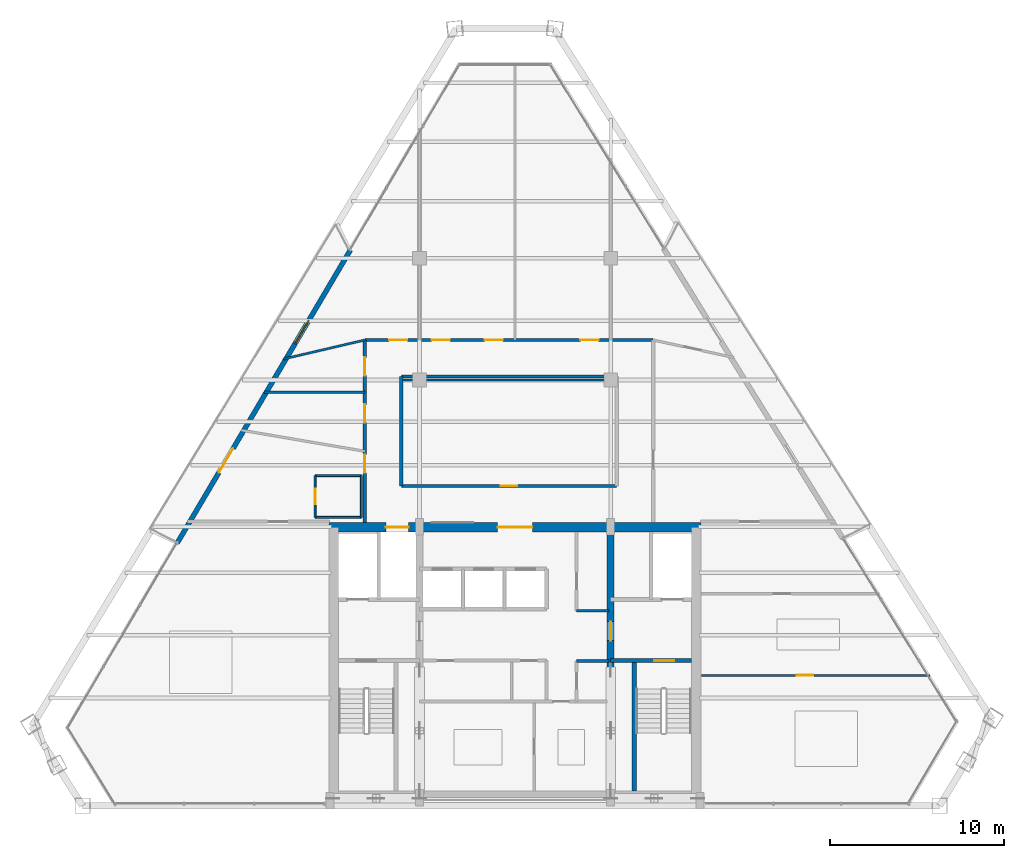
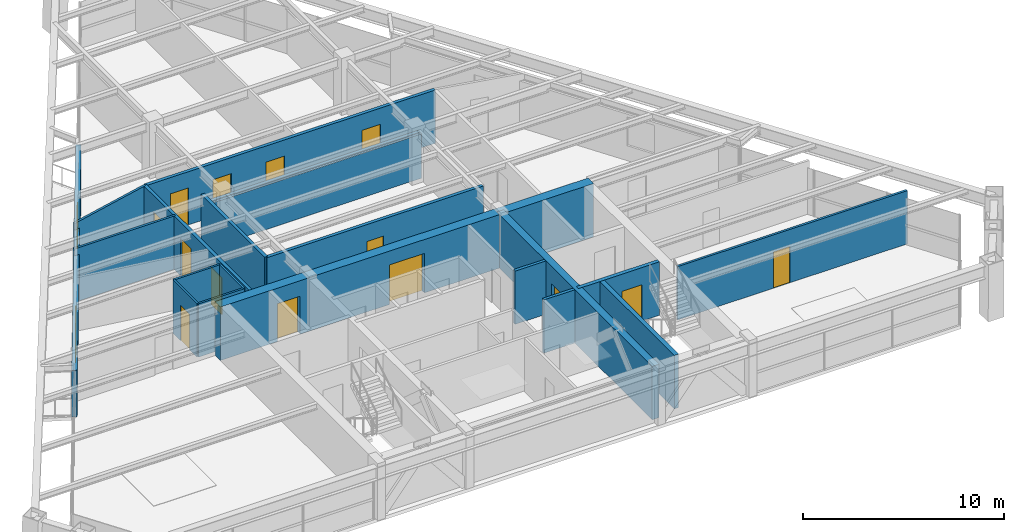
# One storey, part 10 of 13: 20 walls, 15 doors, 1 window, 16 openings.
"""IFC4 building model written with IfcOpenShell, lengths in metres."""

from ifc_helpers import new_model, si_unit, direction, frame, frame_2d, origin, place, context, subcontext, project, spatial, rectangle, extrude, source, transform, mapped, material, layer, layer_set, type_object, type_shapes, element, fill, save


model = new_model("IFC4")

# Units and contexts
model_context = context("Model", 3, precision=1e-05, world=origin(), true_north=direction((0.0, 1.0)))
body_context = subcontext(model_context, "Body", "Model", "MODEL_VIEW")
ifc_project = project(units=[si_unit("LENGTHUNIT", "METRE"), si_unit("AREAUNIT", "SQUARE_METRE"), si_unit("VOLUMEUNIT", "CUBIC_METRE"), si_unit("PLANEANGLEUNIT", "RADIAN"), si_unit("MASSUNIT", "GRAM", prefix="KILO")], contexts=[model_context])

# Site, building, storey
site_placement = place(None, origin())
site = spatial("IfcSite", under=ifc_project, at=site_placement, CompositionType="ELEMENT")
building_placement = place(site_placement, origin())
building = spatial("IfcBuilding", under=site, at=building_placement, Name="Varnakhor Terracotta Tower", CompositionType="ELEMENT")
storey_placement = place(building_placement, frame((0.0, 0.0, 237.25)))
storey = spatial("IfcBuildingStorey", under=building, at=storey_placement, Name="L61", CompositionType="ELEMENT", Elevation=237.25)

# Walls
ifc_material_1 = material(Name="Moisture-Resistant Tile-Backed Partition", Category="gypsum")
ifc_layer_1 = layer(ifc_material_1, 0.114990234375, Name="Moisture-Resistant Tile-Backed Partition")
ifc_layer_set_1 = layer_set([ifc_layer_1], Name="Moisture-Resistant Tile-Backed Partition")
wall_type_1 = type_object("IfcWallType", Name="WAL-BATH-115", PredefinedType="PARTITIONING", material=ifc_layer_set_1)
for number, where, z_axis, x_axis, name in (
    (1, (-11.5, 16.60009765625, 0.0), (0.0, 0.0, 1.0), (1.0, 0.0, 0.0), "L61 En-Suite 1 Wall S"),
    (2, (-11.5, 19.0, 0.0), (0.0, 0.0, 1.0), (1.0, 0.0, 0.0), "L61 En-Suite 1 Wall N"),
):
    element("IfcWall", number, at=place(storey_placement, frame(where, z_axis=z_axis, x_axis=x_axis)), inside=storey, type_object=wall_type_1, Name=name, PredefinedType="PARTITIONING", context=body_context, shape_type="SweptSolid", body=[
        extrude(rectangle(XDim=2.64990234375, YDim=0.114990234375, at=frame_2d((1.324951171875, 0.0))), origin(), (0.0, 0.0, 1.0), 3.23193359375),
    ])

# Wall, opening, door
wall_1_placement = place(storey_placement, frame((-11.5, 16.60009765625, 0.0), z_axis=(0.0, 0.0, 1.0), x_axis=(0.0, 1.0, 0.0)))
wall_1 = element("IfcWall", 3, at=wall_1_placement, inside=storey, type_object=wall_type_1, Name="L61 En-Suite 1 Wall W", PredefinedType="PARTITIONING", context=body_context, shape_type="SweptSolid", body=[
    extrude(rectangle(XDim=2.39990234375, YDim=0.114990234375, at=frame_2d((1.199951171875, 0.0))), origin(), (0.0, 0.0, 1.0), 3.23193359375),
])
opening_1_placement = place(wall_1_placement, frame((0.75, 0.0, 0.0)))
opening_1 = element("IfcOpeningElement", 4, at=opening_1_placement, cuts=wall_1, Name="Opening DR-93", PredefinedType="OPENING", context=body_context, shape_type="SweptSolid", body=[
    extrude(rectangle(XDim=0.89990234375, YDim=2.14990234375, at=frame_2d((0.449951171875, 1.074951171875))), frame((0.0, 0.0673828125, 0.0), z_axis=(0.0, -1.0, 0.0), x_axis=(1.0, 0.0, 0.0)), (0.0, 0.0, 1.0), 0.135009765625),
])
ifc_material_2 = material(Name="Moisture-Resistant Accessible Bathroom Door", Category="wood")
door_type_1 = type_object("IfcDoorType", Name="DR-BATH-900X2150", OperationType="NOTDEFINED", PredefinedType="DOOR", material=ifc_material_2)
shared_shape_1 = source(origin(), body_context, "Body", "SweptSolid", [
    extrude(rectangle(XDim=0.89990234375, YDim=2.14990234375, at=frame_2d((0.449951171875, 1.074951171875))), frame((0.0, 0.02490234375, 0.0), z_axis=(0.0, -1.0, 0.0), x_axis=(1.0, 0.0, 0.0)), (0.0, 0.0, 1.0), 0.050048828125),
])
type_shapes(door_type_1, [shared_shape_1])
door_1_placement = place(opening_1_placement, origin())
door_1 = element("IfcDoor", 5, at=door_1_placement, inside=storey, type_object=door_type_1, Name="L61 En-Suite Bathroom 1 Door", OperationType="SINGLE_SWING_RIGHT", OverallHeight=2.14990234375, OverallWidth=0.89990234375, PredefinedType="DOOR", context=body_context, shape_type="MappedRepresentation", body=[
    mapped(shared_shape_1, transform((0.0, 0.0, 0.0), scale=1.0)),
])
fill(opening_1, door_1)

# Wall
wall_2_placement = place(storey_placement, frame((-8.85009765625, 16.60009765625, 0.0), z_axis=(0.0, 0.0, 1.0), x_axis=(0.0, 1.0, 0.0)))
element("IfcWall", 6, at=wall_2_placement, inside=storey, type_object=wall_type_1, Name="L61 En-Suite 1 Wall E", PredefinedType="PARTITIONING", context=body_context, shape_type="SweptSolid", body=[
    extrude(rectangle(XDim=2.39990234375, YDim=0.114990234375, at=frame_2d((1.199951171875, 0.0))), origin(), (0.0, 0.0, 1.0), 3.23193359375),
])

# Wall, openings, doors
ifc_material_3 = material(Name="Concrete C50/60", Category="concrete")
ifc_layer_2 = layer(ifc_material_3, 0.550048828125, Name="Concrete C50/60")
ifc_layer_set_2 = layer_set([ifc_layer_2], Name="Concrete C50/60")
wall_type_2 = type_object("IfcWallType", Name="WAL-CORE-550", PredefinedType="SHEAR", material=ifc_layer_set_2)
wall_3_placement = place(storey_placement, frame((-10.699951171875, 16.02490234375, 0.0), z_axis=(0.0, 0.0, 1.0), x_axis=(1.0, 0.0, 0.0)))
wall_3 = element("IfcWall", 7, at=wall_3_placement, inside=storey, type_object=wall_type_2, Name="L61 North Core Shear Wall", PredefinedType="SHEAR", context=body_context, shape_type="SweptSolid", body=[
    extrude(rectangle(XDim=21.39990234375, YDim=0.550048828125, at=frame_2d((10.699951171875, 0.0))), origin(), (0.0, 0.0, 1.0), 3.239990234375),
])
opening_2_placement = place(wall_3_placement, frame((3.27001953125, 0.0, 0.0)))
opening_2 = element("IfcOpeningElement", 8, at=opening_2_placement, cuts=wall_3, Name="Opening LD-03", PredefinedType="OPENING", context=body_context, shape_type="SweptSolid", body=[
    extrude(rectangle(XDim=1.300048828125, YDim=2.300048828125, at=frame_2d((0.64990234375, 1.14990234375))), frame((0.0, 0.28515625, 0.0), z_axis=(0.0, -1.0, 0.0), x_axis=(1.0, 0.0, 0.0)), (0.0, 0.0, 1.0), 0.570068359375),
])
opening_3_placement = place(wall_3_placement, frame((9.699951171875, 0.0, 0.0)))
opening_3 = element("IfcOpeningElement", 9, at=opening_3_placement, cuts=wall_3, Name="Opening DR-32", PredefinedType="OPENING", context=body_context, shape_type="SweptSolid", body=[
    extrude(rectangle(XDim=2.0, YDim=2.39990234375, at=frame_2d((1.0, 1.199951171875))), frame((0.0, 0.28515625, 0.0), z_axis=(0.0, -1.0, 0.0), x_axis=(1.0, 0.0, 0.0)), (0.0, 0.0, 1.0), 0.570068359375),
])
ifc_material_4 = material(Name="Heavy-Duty Goods Sliding Lift Landing Door", Category="steel")
door_type_2 = type_object("IfcDoorType", Name="LD-SRV-1300X2300", OperationType="NOTDEFINED", PredefinedType="DOOR", material=ifc_material_4)
shared_shape_2 = source(origin(), body_context, "Body", "SweptSolid", [
    extrude(rectangle(XDim=1.300048828125, YDim=2.300048828125, at=frame_2d((0.64990234375, 1.14990234375))), frame((0.0, 0.02490234375, 0.0), z_axis=(0.0, -1.0, 0.0), x_axis=(1.0, 0.0, 0.0)), (0.0, 0.0, 1.0), 0.050048828125),
])
type_shapes(door_type_2, [shared_shape_2])
door_2_placement = place(opening_2_placement, origin())
door_2 = element("IfcDoor", 10, at=door_2_placement, inside=storey, type_object=door_type_2, Name="L61 Service Lift SVL-1 Landing Door", OperationType="SLIDING_TO_RIGHT", OverallHeight=2.300048828125, OverallWidth=1.300048828125, PredefinedType="DOOR", context=body_context, shape_type="MappedRepresentation", body=[
    mapped(shared_shape_2, transform((0.0, 0.0, 0.0), scale=1.0)),
])
fill(opening_2, door_2)
ifc_material_5 = material(Name="Acoustic Double Assembly Fire Door", Category="wood")
door_type_3 = type_object("IfcDoorType", Name="DR-HALL-2000X2400", OperationType="NOTDEFINED", PredefinedType="DOOR", material=ifc_material_5)
shared_shape_3 = source(origin(), body_context, "Body", "SweptSolid", [
    extrude(rectangle(XDim=2.0, YDim=2.39990234375, at=frame_2d((1.0, 1.199951171875))), frame((0.0, 0.02490234375, 0.0), z_axis=(0.0, -1.0, 0.0), x_axis=(1.0, 0.0, 0.0)), (0.0, 0.0, 1.0), 0.050048828125),
])
type_shapes(door_type_3, [shared_shape_3])
door_3_placement = place(opening_3_placement, origin())
door_3 = element("IfcDoor", 11, at=door_3_placement, inside=storey, type_object=door_type_3, Name="L61 Core Main Lobby Double Door", OperationType="DOUBLE_DOOR_SINGLE_SWING", OverallHeight=2.39990234375, OverallWidth=2.0, PredefinedType="DOOR", context=body_context, shape_type="MappedRepresentation", body=[
    mapped(shared_shape_3, transform((0.0, 0.0, 0.0), scale=1.0)),
])
fill(opening_3, door_3)

# Wall, opening, door
ifc_layer_3 = layer(ifc_material_3, 0.39990234375, Name="Concrete C50/60")
ifc_layer_set_3 = layer_set([ifc_layer_3], Name="Concrete C50/60")
wall_type_3 = type_object("IfcWallType", Name="WAL-CORE-WEB-400", PredefinedType="SHEAR", material=ifc_layer_set_3)
wall_4_placement = place(storey_placement, frame((5.5, 0.574951171875, 0.0), z_axis=(0.0, 0.0, 1.0), x_axis=(0.0, 1.0, 0.0)))
wall_4 = element("IfcWall", 12, at=wall_4_placement, inside=storey, type_object=wall_type_3, Name="L61 East Core Web Shear Wall", PredefinedType="SHEAR", context=body_context, shape_type="SweptSolid", body=[
    extrude(rectangle(XDim=15.449951171875, YDim=0.39990234375, at=frame_2d((7.72509765625, 0.0))), origin(), (0.0, 0.0, 1.0), 3.239990234375),
])
opening_4_placement = place(wall_4_placement, frame((8.925048828125, 0.0, 0.0)))
opening_4 = element("IfcOpeningElement", 13, at=opening_4_placement, cuts=wall_4, Name="Opening DR-25", PredefinedType="OPENING", context=body_context, shape_type="SweptSolid", body=[
    extrude(rectangle(XDim=1.10009765625, YDim=2.199951171875, at=frame_2d((0.550048828125, 1.10009765625))), frame((0.0, 0.2099609375, 0.0), z_axis=(0.0, -1.0, 0.0), x_axis=(1.0, 0.0, 0.0)), (0.0, 0.0, 1.0), 0.419921875),
])
ifc_material_6 = material(Name="Firefighting Lobby Self-Closing Fire Door", Category="steel")
door_type_4 = type_object("IfcDoorType", Name="DR-FFL-1100X2200", OperationType="NOTDEFINED", PredefinedType="DOOR", material=ifc_material_6)
shared_shape_4 = source(origin(), body_context, "Body", "SweptSolid", [
    extrude(rectangle(XDim=1.10009765625, YDim=2.199951171875, at=frame_2d((0.550048828125, 1.10009765625))), frame((0.0, 0.02490234375, 0.0), z_axis=(0.0, -1.0, 0.0), x_axis=(1.0, 0.0, 0.0)), (0.0, 0.0, 1.0), 0.050048828125),
])
type_shapes(door_type_4, [shared_shape_4])
door_4_placement = place(opening_4_placement, origin())
door_4 = element("IfcDoor", 14, at=door_4_placement, inside=storey, type_object=door_type_4, Name="L61 East Firefighting Lobby Door", OperationType="SINGLE_SWING_LEFT", OverallHeight=2.199951171875, OverallWidth=1.10009765625, PredefinedType="DOOR", context=body_context, shape_type="MappedRepresentation", body=[
    mapped(shared_shape_4, transform((0.0, 0.0, 0.0), scale=1.0)),
])
fill(opening_4, door_4)

ifc_material_7 = material(Name="Fire-Rated Gypsum Stud Partition", Category="gypsum")
ifc_layer_4 = layer(ifc_material_7, 0.18505859375, Name="Fire-Rated Gypsum Stud Partition")
ifc_layer_set_4 = layer_set([ifc_layer_4], Name="Fire-Rated Gypsum Stud Partition")
wall_type_4 = type_object("IfcWallType", Name="WAL-CORR-185", PredefinedType="PARTITIONING", material=ifc_layer_set_4)
wall_5_placement = place(storey_placement, frame((-6.550048828125, 18.39990234375, 0.0), z_axis=(0.0, 0.0, 1.0), x_axis=(1.0, 0.0, 0.0)))
wall_5 = element("IfcWall", 15, at=wall_5_placement, inside=storey, type_object=wall_type_4, Name="L61 Ring Inner South Wall", PredefinedType="PARTITIONING", context=body_context, shape_type="SweptSolid", body=[
    extrude(rectangle(XDim=12.400146484375, YDim=0.18505859375, at=frame_2d((6.2001953125, 0.0))), origin(), (0.0, 0.0, 1.0), 3.23193359375),
])
opening_5_placement = place(wall_5_placement, frame((5.72509765625, 0.0, 0.0)))
opening_5 = element("IfcOpeningElement", 16, at=opening_5_placement, cuts=wall_5, Name="Opening DR-94", PredefinedType="OPENING", context=body_context, shape_type="SweptSolid", body=[
    extrude(rectangle(XDim=0.949951171875, YDim=2.199951171875, at=frame_2d((0.47509765625, 1.10009765625))), frame((0.0, 0.1025390625, 0.0), z_axis=(0.0, -1.0, 0.0), x_axis=(1.0, 0.0, 0.0)), (0.0, 0.0, 1.0), 0.205078125),
])
ifc_material_8 = material(Name="Acoustic Glazed-Vision Timber Office Door", Category="wood")
door_type_5 = type_object("IfcDoorType", Name="DR-OFF-950X2200", OperationType="NOTDEFINED", PredefinedType="DOOR", material=ifc_material_8)
shared_shape_5 = source(origin(), body_context, "Body", "SweptSolid", [
    extrude(rectangle(XDim=0.949951171875, YDim=2.199951171875, at=frame_2d((0.47509765625, 1.10009765625))), frame((0.0, 0.02490234375, 0.0), z_axis=(0.0, -1.0, 0.0), x_axis=(1.0, 0.0, 0.0)), (0.0, 0.0, 1.0), 0.050048828125),
])
type_shapes(door_type_5, [shared_shape_5])
door_5_placement = place(opening_5_placement, origin())
door_5 = element("IfcDoor", 17, at=door_5_placement, inside=storey, type_object=door_type_5, Name="L61 Housekeeping Station Door", OperationType="SINGLE_SWING_RIGHT", OverallHeight=2.199951171875, OverallWidth=0.949951171875, PredefinedType="DOOR", context=body_context, shape_type="MappedRepresentation", body=[
    mapped(shared_shape_5, transform((0.0, 0.0, 0.0), scale=1.0)),
])
fill(opening_5, door_5)

# Walls
wall_6_placement = place(storey_placement, frame((-6.550048828125, 24.699951171875, 0.0), z_axis=(0.0, 0.0, 1.0), x_axis=(1.0, 0.0, 0.0)))
element("IfcWall", 18, at=wall_6_placement, inside=storey, type_object=wall_type_4, Name="L61 Ring Inner North Wall", PredefinedType="PARTITIONING", context=body_context, shape_type="SweptSolid", body=[
    extrude(rectangle(XDim=12.400146484375, YDim=0.18505859375, at=frame_2d((6.2001953125, 0.0))), origin(), (0.0, 0.0, 1.0), 2.68310546875),
])
wall_7_placement = place(storey_placement, frame((-6.550048828125, 18.39990234375, 0.0), z_axis=(0.0, 0.0, 1.0), x_axis=(0.0, 1.0, 0.0)))
element("IfcWall", 19, at=wall_7_placement, inside=storey, type_object=wall_type_4, Name="L61 Ring Inner West Wall", PredefinedType="PARTITIONING", context=body_context, shape_type="SweptSolid", body=[
    extrude(rectangle(XDim=6.300048828125, YDim=0.18505859375, at=frame_2d((3.14990234375, 0.0))), origin(), (0.0, 0.0, 1.0), 3.23193359375),
])

# Wall, openings, doors
wall_8_placement = place(storey_placement, frame((-8.64990234375, 16.300048828125, 0.0), z_axis=(0.0, 0.0, 1.0), x_axis=(0.0, 1.0, 0.0)))
wall_8 = element("IfcWall", 20, at=wall_8_placement, inside=storey, type_object=wall_type_4, Name="L61 Hotel West Corridor Wall", PredefinedType="PARTITIONING", context=body_context, shape_type="SweptSolid", body=[
    extrude(rectangle(XDim=10.5, YDim=0.18505859375, at=frame_2d((5.25, 0.0))), origin(), (0.0, 0.0, 1.0), 3.23193359375),
])
opening_6_placement = place(wall_8_placement, frame((2.8544921875, 0.0, 0.0)))
opening_6 = element("IfcOpeningElement", 21, at=opening_6_placement, cuts=wall_8, Name="Opening DR-95", PredefinedType="OPENING", context=body_context, shape_type="SweptSolid", body=[
    extrude(rectangle(XDim=1.050048828125, YDim=2.25, at=frame_2d((0.52490234375, 1.125))), frame((0.0, 0.1025390625, 0.0), z_axis=(0.0, -1.0, 0.0), x_axis=(1.0, 0.0, 0.0)), (0.0, 0.0, 1.0), 0.205078125),
])
opening_7_placement = place(wall_8_placement, frame((5.75244140625, 0.0, 0.0)))
opening_7 = element("IfcOpeningElement", 22, at=opening_7_placement, cuts=wall_8, Name="Opening DR-95", PredefinedType="OPENING", context=body_context, shape_type="SweptSolid", body=[
    extrude(rectangle(XDim=1.050048828125, YDim=2.25, at=frame_2d((0.52490234375, 1.125))), frame((0.0, 0.1025390625, 0.0), z_axis=(0.0, -1.0, 0.0), x_axis=(1.0, 0.0, 0.0)), (0.0, 0.0, 1.0), 0.205078125),
])
opening_8_placement = place(wall_8_placement, frame((8.45654296875, 0.0, 0.0)))
opening_8 = element("IfcOpeningElement", 23, at=opening_8_placement, cuts=wall_8, Name="Opening DR-95", PredefinedType="OPENING", context=body_context, shape_type="SweptSolid", body=[
    extrude(rectangle(XDim=1.050048828125, YDim=2.25, at=frame_2d((0.52490234375, 1.125))), frame((0.0, 0.1025390625, 0.0), z_axis=(0.0, -1.0, 0.0), x_axis=(1.0, 0.0, 0.0)), (0.0, 0.0, 1.0), 0.205078125),
])
ifc_material_9 = material(Name="Solid-Core Timber Tenant/Hotel Entrance Door", Category="wood")
door_type_6 = type_object("IfcDoorType", Name="DR-SUITE-1050X2250", OperationType="NOTDEFINED", PredefinedType="DOOR", material=ifc_material_9)
shared_shape_6 = source(origin(), body_context, "Body", "SweptSolid", [
    extrude(rectangle(XDim=1.050048828125, YDim=2.25, at=frame_2d((0.52490234375, 1.125))), frame((0.0, 0.02490234375, 0.0), z_axis=(0.0, -1.0, 0.0), x_axis=(1.0, 0.0, 0.0)), (0.0, 0.0, 1.0), 0.050048828125),
])
type_shapes(door_type_6, [shared_shape_6])
door_6_placement = place(opening_6_placement, origin())
door_6 = element("IfcDoor", 24, at=door_6_placement, inside=storey, type_object=door_type_6, Name="L61 West Room 1 Entry Door", OperationType="SINGLE_SWING_LEFT", OverallHeight=2.25, OverallWidth=1.050048828125, PredefinedType="DOOR", context=body_context, shape_type="MappedRepresentation", body=[
    mapped(shared_shape_6, transform((0.0, 0.0, 0.0), scale=1.0)),
])
fill(opening_6, door_6)
door_7_placement = place(opening_7_placement, origin())
door_7 = element("IfcDoor", 25, at=door_7_placement, inside=storey, type_object=door_type_6, Name="L61 West Room 2 Entry Door", OperationType="SINGLE_SWING_LEFT", OverallHeight=2.25, OverallWidth=1.050048828125, PredefinedType="DOOR", context=body_context, shape_type="MappedRepresentation", body=[
    mapped(shared_shape_6, transform((0.0, 0.0, 0.0), scale=1.0)),
])
fill(opening_7, door_7)
door_8_placement = place(opening_8_placement, origin())
door_8 = element("IfcDoor", 26, at=door_8_placement, inside=storey, type_object=door_type_6, Name="L61 West Room 3 Entry Door", OperationType="SINGLE_SWING_RIGHT", OverallHeight=2.25, OverallWidth=1.050048828125, PredefinedType="DOOR", context=body_context, shape_type="MappedRepresentation", body=[
    mapped(shared_shape_6, transform((0.0, 0.0, 0.0), scale=1.0)),
])
fill(opening_8, door_8)

wall_9_placement = place(storey_placement, frame((-8.64990234375, 26.800048828125, 0.0), z_axis=(0.0, 0.0, 1.0), x_axis=(1.0, 0.0, 0.0)))
wall_9 = element("IfcWall", 27, at=wall_9_placement, inside=storey, type_object=wall_type_4, Name="L61 Hotel North Corridor Wall", PredefinedType="PARTITIONING", context=body_context, shape_type="SweptSolid", body=[
    extrude(rectangle(XDim=16.599853515625, YDim=0.18505859375, at=frame_2d((8.2998046875, 0.0))), origin(), (0.0, 0.0, 1.0), 3.23193359375),
])
opening_9_placement = place(wall_9_placement, frame((3.847412109375, 0.0, 0.0)))
opening_9 = element("IfcOpeningElement", 28, at=opening_9_placement, cuts=wall_9, Name="Opening DR-95", PredefinedType="OPENING", context=body_context, shape_type="SweptSolid", body=[
    extrude(rectangle(XDim=1.050048828125, YDim=2.25, at=frame_2d((0.52490234375, 1.125))), frame((0.0, 0.1025390625, 0.0), z_axis=(0.0, -1.0, 0.0), x_axis=(1.0, 0.0, 0.0)), (0.0, 0.0, 1.0), 0.205078125),
])
opening_10_placement = place(wall_9_placement, frame((6.902587890625, 0.0, 0.0)))
opening_10 = element("IfcOpeningElement", 29, at=opening_10_placement, cuts=wall_9, Name="Opening DR-95", PredefinedType="OPENING", context=body_context, shape_type="SweptSolid", body=[
    extrude(rectangle(XDim=1.050048828125, YDim=2.25, at=frame_2d((0.52490234375, 1.125))), frame((0.0, 0.1025390625, 0.0), z_axis=(0.0, -1.0, 0.0), x_axis=(1.0, 0.0, 0.0)), (0.0, 0.0, 1.0), 0.205078125),
])
opening_11_placement = place(wall_9_placement, frame((12.402587890625, 0.0, 0.0)))
opening_11 = element("IfcOpeningElement", 30, at=opening_11_placement, cuts=wall_9, Name="Opening DR-95", PredefinedType="OPENING", context=body_context, shape_type="SweptSolid", body=[
    extrude(rectangle(XDim=1.050048828125, YDim=2.25, at=frame_2d((0.52490234375, 1.125))), frame((0.0, 0.1025390625, 0.0), z_axis=(0.0, -1.0, 0.0), x_axis=(1.0, 0.0, 0.0)), (0.0, 0.0, 1.0), 0.205078125),
])
opening_12_placement = place(wall_9_placement, frame((1.402587890625, 0.0, 0.0)))
opening_12 = element("IfcOpeningElement", 31, at=opening_12_placement, cuts=wall_9, Name="Opening DR-95", PredefinedType="OPENING", context=body_context, shape_type="SweptSolid", body=[
    extrude(rectangle(XDim=1.050048828125, YDim=2.25, at=frame_2d((0.52490234375, 1.125))), frame((0.0, 0.1025390625, 0.0), z_axis=(0.0, -1.0, 0.0), x_axis=(1.0, 0.0, 0.0)), (0.0, 0.0, 1.0), 0.205078125),
])
door_9_placement = place(opening_9_placement, origin())
door_9 = element("IfcDoor", 32, at=door_9_placement, inside=storey, type_object=door_type_6, Name="L61 North Suite 1 Entry Door", OperationType="SINGLE_SWING_RIGHT", OverallHeight=2.25, OverallWidth=1.050048828125, PredefinedType="DOOR", context=body_context, shape_type="MappedRepresentation", body=[
    mapped(shared_shape_6, transform((0.0, 0.0, 0.0), scale=1.0)),
])
fill(opening_9, door_9)
door_10_placement = place(opening_10_placement, origin())
door_10 = element("IfcDoor", 33, at=door_10_placement, inside=storey, type_object=door_type_6, Name="L61 North Suite 2 Entry Door", OperationType="SINGLE_SWING_LEFT", OverallHeight=2.25, OverallWidth=1.050048828125, PredefinedType="DOOR", context=body_context, shape_type="MappedRepresentation", body=[
    mapped(shared_shape_6, transform((0.0, 0.0, 0.0), scale=1.0)),
])
fill(opening_10, door_10)
door_11_placement = place(opening_11_placement, origin())
door_11 = element("IfcDoor", 34, at=door_11_placement, inside=storey, type_object=door_type_6, Name="L61 North Suite 3 Entry Door", OperationType="SINGLE_SWING_RIGHT", OverallHeight=2.25, OverallWidth=1.050048828125, PredefinedType="DOOR", context=body_context, shape_type="MappedRepresentation", body=[
    mapped(shared_shape_6, transform((0.0, 0.0, 0.0), scale=1.0)),
])
fill(opening_11, door_11)
door_12_placement = place(opening_12_placement, origin())
door_12 = element("IfcDoor", 35, at=door_12_placement, inside=storey, type_object=door_type_6, Name="L61 Club Concierge Reception NW Door", OperationType="SINGLE_SWING_RIGHT", OverallHeight=2.25, OverallWidth=1.050048828125, PredefinedType="DOOR", context=body_context, shape_type="MappedRepresentation", body=[
    mapped(shared_shape_6, transform((0.0, 0.0, 0.0), scale=1.0)),
])
fill(opening_12, door_12)

# Wall, openings, door, window
ifc_material_10 = material(Name="Extruded Architectural Terracotta Assembly", Category="masonry")
ifc_layer_5 = layer(ifc_material_10, 0.280029296875, Name="Extruded Architectural Terracotta Assembly")
ifc_layer_set_5 = layer_set([ifc_layer_5], Name="Extruded Architectural Terracotta Assembly")
wall_type_5 = type_object("IfcWallType", Name="WAL-EXT-TERRACOTTA-280", PredefinedType="SOLIDWALL", material=ifc_layer_set_5)
wall_10_placement = place(storey_placement, frame((-19.43017578125, 15.137451171875, 0.0), z_axis=(0.0, 0.0, 1.0), x_axis=(0.508699873742, 0.860943922944, 0.0)))
wall_10 = element("IfcWall", 36, at=wall_10_placement, inside=storey, type_object=wall_type_5, Name="L61 W Loggia Insulated Terracotta Wall", PredefinedType="SOLIDWALL", context=body_context, shape_type="SweptSolid", body=[
    extrude(rectangle(XDim=19.55859375, YDim=0.280029296875, at=frame_2d((9.779296875, 0.0))), origin(), (0.0, 0.0, 1.0), 2.820068359375),
])
opening_13_placement = place(wall_10_placement, frame((4.694091796875, 0.0, 0.0)))
opening_13 = element("IfcOpeningElement", 37, at=opening_13_placement, cuts=wall_10, Name="Opening DR-62", PredefinedType="OPENING", context=body_context, shape_type="SweptSolid", body=[
    extrude(rectangle(XDim=1.60009765625, YDim=2.35009765625, at=frame_2d((0.800048828125, 1.175048828125))), frame((0.0, 0.14990234375, 0.0), z_axis=(0.0, -1.0, 0.0), x_axis=(1.0, 0.0, 0.0)), (0.0, 0.0, 1.0), 0.300048828125),
])
opening_14_placement = place(wall_10_placement, frame((13.2998046875, 0.0, 0.89990234375)))
opening_14 = element("IfcOpeningElement", 38, at=opening_14_placement, cuts=wall_10, Name="Opening WN-59", PredefinedType="OPENING", context=body_context, shape_type="SweptSolid", body=[
    extrude(rectangle(XDim=1.550048828125, YDim=1.75, at=frame_2d((0.77490234375, 0.875))), frame((0.0, 0.14990234375, 0.0), z_axis=(0.0, -1.0, 0.0), x_axis=(1.0, 0.0, 0.0)), (0.0, 0.0, 1.0), 0.300048828125),
])
ifc_material_11 = material(Name="Thermally Broken Sliding Glass Loggia Door", Category="glass")
door_type_7 = type_object("IfcDoorType", Name="DR-EXT-LOGGIA-1600X2350", OperationType="NOTDEFINED", PredefinedType="DOOR", material=ifc_material_11)
shared_shape_7 = source(origin(), body_context, "Body", "SweptSolid", [
    extrude(rectangle(XDim=1.60009765625, YDim=2.35009765625, at=frame_2d((0.800048828125, 1.175048828125))), frame((0.0, 0.02490234375, 0.0), z_axis=(0.0, -1.0, 0.0), x_axis=(1.0, 0.0, 0.0)), (0.0, 0.0, 1.0), 0.050048828125),
])
type_shapes(door_type_7, [shared_shape_7])
door_13_placement = place(opening_13_placement, origin())
door_13 = element("IfcDoor", 39, at=door_13_placement, inside=storey, type_object=door_type_7, Name="L61 W Recessed Loggia Sliding Door", OperationType="SLIDING_TO_LEFT", OverallHeight=2.35009765625, OverallWidth=1.60009765625, PredefinedType="DOOR", context=body_context, shape_type="MappedRepresentation", body=[
    mapped(shared_shape_7, transform((0.0, 0.0, 0.0), scale=1.0)),
])
fill(opening_13, door_13)
ifc_material_12 = material(Name="Solar-Control Low-E Insulated Glass Unit", Category="glass")
window_type = type_object("IfcWindowType", Name="WIN-HTL-1500X1950", PartitioningType="SINGLE_PANEL", PredefinedType="WINDOW", material=ifc_material_12)
shared_shape_8 = source(origin(), body_context, "Body", "SweptSolid", [
    extrude(rectangle(XDim=1.550048828125, YDim=1.75, at=frame_2d((0.77490234375, 0.875))), frame((0.0, 0.030029296875, 0.0), z_axis=(0.0, -1.0, 0.0), x_axis=(1.0, 0.0, 0.0)), (0.0, 0.0, 1.0), 0.06005859375),
])
type_shapes(window_type, [shared_shape_8])
window_placement = place(opening_14_placement, origin())
window = element("IfcWindow", 40, at=window_placement, inside=storey, type_object=window_type, Name="L61 W Facet Punched Window", OverallHeight=1.75, OverallWidth=1.550048828125, PartitioningType="SINGLE_PANEL", PredefinedType="WINDOW", context=body_context, shape_type="MappedRepresentation", body=[
    mapped(shared_shape_8, transform((0.0, 0.0, 0.0), scale=1.0)),
])
fill(opening_14, window)

# Wall, opening, door
ifc_material_13 = material(Name="Concrete C40/50", Category="concrete")
ifc_layer_6 = layer(ifc_material_13, 0.219970703125, Name="Concrete C40/50")
ifc_layer_set_6 = layer_set([ifc_layer_6], Name="Concrete C40/50")
wall_type_6 = type_object("IfcWallType", Name="WAL-FFLOBBY-220", PredefinedType="SOLIDWALL", material=ifc_layer_set_6)
wall_11_placement = place(storey_placement, frame((10.14990234375, 8.35009765625, 0.0), z_axis=(0.0, 0.0, 1.0), x_axis=(-1.0, 0.0, 0.0)))
wall_11 = element("IfcWall", 41, at=wall_11_placement, inside=storey, type_object=wall_type_6, Name="L61 East Firefighting Lobby Stair Wall", PredefinedType="SOLIDWALL", context=body_context, shape_type="SweptSolid", body=[
    extrude(rectangle(XDim=4.64990234375, YDim=0.219970703125, at=frame_2d((2.324951171875, 0.0))), origin(), (0.0, 0.0, 1.0), 3.239990234375),
])
opening_15_placement = place(wall_11_placement, frame((1.0, 0.0, 0.0)))
opening_15 = element("IfcOpeningElement", 42, at=opening_15_placement, cuts=wall_11, Name="Opening DR-34", PredefinedType="OPENING", context=body_context, shape_type="SweptSolid", body=[
    extrude(rectangle(XDim=1.14990234375, YDim=2.199951171875, at=frame_2d((0.574951171875, 1.10009765625))), frame((0.0, 0.1201171875, 0.0), z_axis=(0.0, -1.0, 0.0), x_axis=(1.0, 0.0, 0.0)), (0.0, 0.0, 1.0), 0.239990234375),
])
ifc_material_14 = material(Name="Self-Closing Smoke-Sealed Steel Fire Door", Category="steel")
door_type_8 = type_object("IfcDoorType", Name="DR-STAIR-1150X2200", OperationType="NOTDEFINED", PredefinedType="DOOR", material=ifc_material_14)
shared_shape_9 = source(origin(), body_context, "Body", "SweptSolid", [
    extrude(rectangle(XDim=1.14990234375, YDim=2.199951171875, at=frame_2d((0.574951171875, 1.10009765625))), frame((0.0, 0.02490234375, 0.0), z_axis=(0.0, -1.0, 0.0), x_axis=(1.0, 0.0, 0.0)), (0.0, 0.0, 1.0), 0.050048828125),
])
type_shapes(door_type_8, [shared_shape_9])
door_14_placement = place(opening_15_placement, origin())
door_14 = element("IfcDoor", 43, at=door_14_placement, inside=storey, type_object=door_type_8, Name="L61 Exit Stair ST-2 Fire Door", OperationType="SINGLE_SWING_RIGHT", OverallHeight=2.199951171875, OverallWidth=1.14990234375, PredefinedType="DOOR", context=body_context, shape_type="MappedRepresentation", body=[
    mapped(shared_shape_9, transform((0.0, 0.0, 0.0), scale=1.0)),
])
fill(opening_15, door_14)

# Wall
ifc_material_15 = material(Name="Acoustic Hotel Room Partition", Category="gypsum")
ifc_layer_7 = layer(ifc_material_15, 0.1298828125, Name="Acoustic Hotel Room Partition")
ifc_layer_set_7 = layer_set([ifc_layer_7], Name="Acoustic Hotel Room Partition")
wall_type_7 = type_object("IfcWallType", Name="WAL-PART-130", PredefinedType="PARTITIONING", material=ifc_layer_set_7)
wall_12_placement = place(storey_placement, frame((-13.3359375, 25.70703125, 0.0), z_axis=(0.0, 0.0, 1.0), x_axis=(0.973859170727, 0.227152626203, 0.0)))
element("IfcWall", 44, at=wall_12_placement, inside=storey, type_object=wall_type_7, Name="L61 North West Suite South Wall", PredefinedType="PARTITIONING", context=body_context, shape_type="SweptSolid", body=[
    extrude(rectangle(XDim=4.811767578125, YDim=0.1298828125, at=frame_2d((2.40576171875, 0.0))), origin(), (0.0, 0.0, 1.0), 3.23193359375),
])

# Wall, opening, door
wall_13_placement = place(storey_placement, frame((10.719970703125, 7.5, 0.0), z_axis=(0.0, 0.0, 1.0), x_axis=(1.0, 0.0, 0.0)))
wall_13 = element("IfcWall", 45, at=wall_13_placement, inside=storey, type_object=wall_type_7, Name="L61 SE Key Split 1", PredefinedType="PARTITIONING", context=body_context, shape_type="SweptSolid", body=[
    extrude(rectangle(XDim=13.16845703125, YDim=0.1298828125, at=frame_2d((6.584228515625, 0.0))), origin(), (0.0, 0.0, 1.0), 3.23193359375),
])
opening_16_placement = place(wall_13_placement, frame((5.48486328125, 0.0, 0.0)))
opening_16 = element("IfcOpeningElement", 46, at=opening_16_placement, cuts=wall_13, Name="Opening DR-94", PredefinedType="OPENING", context=body_context, shape_type="SweptSolid", body=[
    extrude(rectangle(XDim=0.949951171875, YDim=2.199951171875, at=frame_2d((0.47509765625, 1.10009765625))), frame((0.0, 0.074951171875, 0.0), z_axis=(0.0, -1.0, 0.0), x_axis=(1.0, 0.0, 0.0)), (0.0, 0.0, 1.0), 0.14990234375),
])
door_15_placement = place(opening_16_placement, origin())
door_15 = element("IfcDoor", 47, at=door_15_placement, inside=storey, type_object=door_type_5, Name="L61 SE Suite Connect Door 1", OperationType="SINGLE_SWING_LEFT", OverallHeight=2.199951171875, OverallWidth=0.949951171875, PredefinedType="DOOR", context=body_context, shape_type="MappedRepresentation", body=[
    mapped(shared_shape_5, transform((0.0, 0.0, 0.0), scale=1.0)),
])
fill(opening_16, door_15)

# Walls
wall_14_placement = place(storey_placement, frame((-14.462890625, 23.800048828125, 0.0), z_axis=(0.0, 0.0, 1.0), x_axis=(1.0, 0.0, 0.0)))
element("IfcWall", 48, at=wall_14_placement, inside=storey, type_object=wall_type_7, Name="L61 West Key Cut 2", PredefinedType="PARTITIONING", context=body_context, shape_type="SweptSolid", body=[
    extrude(rectangle(XDim=5.81298828125, YDim=0.1298828125, at=frame_2d((2.906494140625, 0.0))), origin(), (0.0, 0.0, 1.0), 3.23193359375),
])
ifc_material_16 = material(Name="Acoustic Metal-Stud Partition", Category="gypsum")
ifc_layer_8 = layer(ifc_material_16, 0.139892578125, Name="Acoustic Metal-Stud Partition")
ifc_layer_set_8 = layer_set([ifc_layer_8], Name="Acoustic Metal-Stud Partition")
wall_type_8 = type_object("IfcWallType", Name="WAL-PART-140", PredefinedType="PARTITIONING", material=ifc_layer_set_8)
wall_15_placement = place(storey_placement, frame((-6.550048828125, 24.5, 0.0), z_axis=(0.0, 0.0, 1.0), x_axis=(1.0, 0.0, 0.0)))
element("IfcWall", 49, at=wall_15_placement, inside=storey, type_object=wall_type_8, Name="L61 Inner Service Split", PredefinedType="PARTITIONING", context=body_context, shape_type="SweptSolid", body=[
    extrude(rectangle(XDim=12.400146484375, YDim=0.139892578125, at=frame_2d((6.2001953125, 0.0))), origin(), (0.0, 0.0, 1.0), 2.68310546875),
])
ifc_layer_9 = layer(ifc_material_13, 0.25, Name="Concrete C40/50")
ifc_layer_set_9 = layer_set([ifc_layer_9], Name="Concrete C40/50")
wall_type_9 = type_object("IfcWallType", Name="WAL-SHAFT-250", PredefinedType="SOLIDWALL", material=ifc_layer_set_9)
wall_16_placement = place(storey_placement, frame((6.85009765625, 0.85009765625, 0.0), z_axis=(0.0, 0.0, 1.0), x_axis=(0.0, 1.0, 0.0)))
element("IfcWall", 50, at=wall_16_placement, inside=storey, type_object=wall_type_9, Name="L61 Stair ST-2 Bearing Shaft Wall", PredefinedType="SOLIDWALL", context=body_context, shape_type="SweptSolid", body=[
    extrude(rectangle(XDim=7.5, YDim=0.25, at=frame_2d((3.75, 0.0))), origin(), (0.0, 0.0, 1.0), 3.239990234375),
])
ifc_material_17 = material(Name="Acoustic Fire-Rated Partition", Category="gypsum")
ifc_layer_10 = layer(ifc_material_17, 0.1650390625, Name="Acoustic Fire-Rated Partition")
ifc_layer_set_10 = layer_set([ifc_layer_10], Name="Acoustic Fire-Rated Partition")
wall_type_10 = type_object("IfcWallType", Name="WAL-TENANCY-165", PredefinedType="PARTITIONING", material=ifc_layer_set_10)
for number, where, z_axis, x_axis, name in (
    (51, (3.5400390625, 8.340087890625, 0.0), (0.0, 0.0, 1.0), (1.0, 0.0, 0.0), "L61 Accessible WC North Wall"),
    (52, (3.5400390625, 11.219970703125, 0.0), (0.0, 0.0, 1.0), (1.0, 0.0, 0.0), "L61 Restroom South Wall"),
):
    element("IfcWall", number, at=place(storey_placement, frame(where, z_axis=z_axis, x_axis=x_axis)), inside=storey, type_object=wall_type_10, Name=name, PredefinedType="PARTITIONING", context=body_context, shape_type="SweptSolid", body=[
        extrude(rectangle(XDim=1.8798828125, YDim=0.1650390625, at=frame_2d((0.93994140625, 0.0))), origin(), (0.0, 0.0, 1.0), 3.23193359375),
    ])

save(model, "model.ifc")
